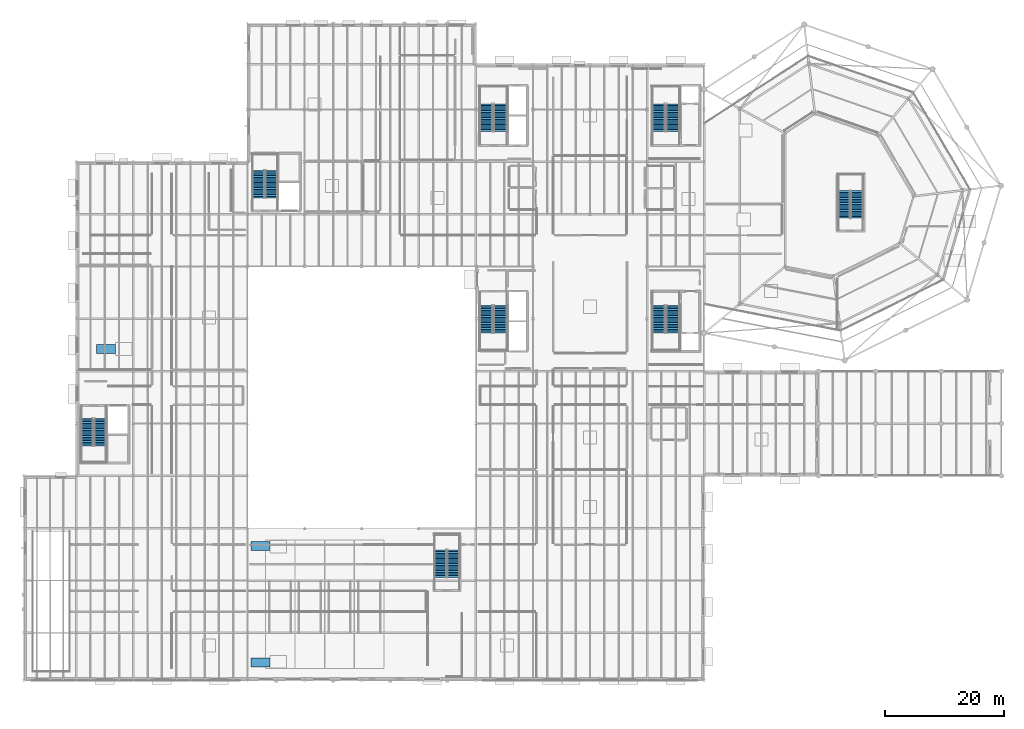
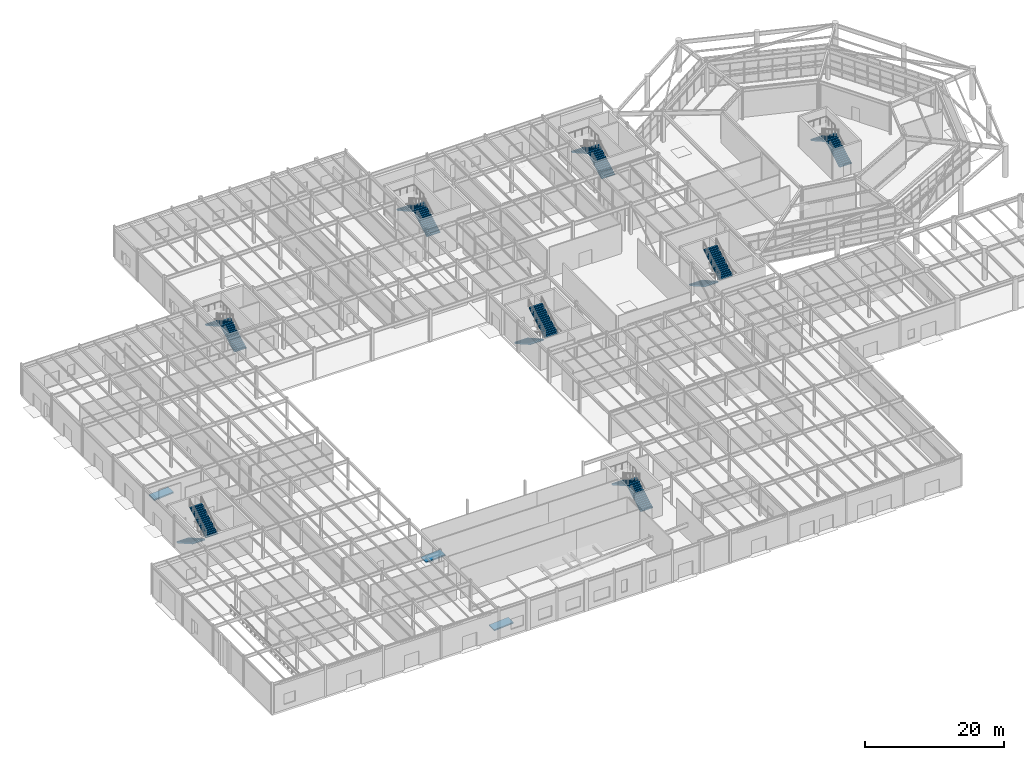
# One storey, part 54 of 70: 16 stair flights, 3 ramp flights, 11 elements without a shape of their own.
"""IFC4 building model written with IfcOpenShell, lengths in metres."""

from ifc_helpers import new_model, si_unit, direction, frame, origin, place, context, subcontext, project, spatial, polyline, outline, extrude, material, layer, layer_set, type_object, element, aggregate, save


model = new_model("IFC4")

# Units and contexts
model_context = context("Model", 3, precision=1e-05, world=origin(), true_north=direction((0.0, 1.0)))
body_context = subcontext(model_context, "Body", "Model", "MODEL_VIEW")
ifc_project = project(units=[si_unit("LENGTHUNIT", "METRE"), si_unit("AREAUNIT", "SQUARE_METRE"), si_unit("VOLUMEUNIT", "CUBIC_METRE"), si_unit("PLANEANGLEUNIT", "RADIAN"), si_unit("MASSUNIT", "GRAM", prefix="KILO")], contexts=[model_context])

# Site, building, storey
site_placement = place(None, origin())
site = spatial("IfcSite", under=ifc_project, at=site_placement, CompositionType="ELEMENT")
building_placement = place(site_placement, origin())
building = spatial("IfcBuilding", under=site, at=building_placement, Name="Sarnbrook Museum", CompositionType="ELEMENT")
storey_placement = place(building_placement, origin())
storey = spatial("IfcBuildingStorey", under=building, at=storey_placement, Name="L00", CompositionType="ELEMENT", Elevation=0.0)

# Stair, stair flights
ifc_material = material(Name="Concrete N40 (AS 3600, f'c = 40 MPa)", Category="concrete")
stair_type_1 = type_object("IfcStairType", Name="Stair_ST02", PredefinedType="HALF_TURN_STAIR", material=ifc_material)
stair_1_placement = place(storey_placement, origin())
stair_1 = element("IfcStair", 1, at=stair_1_placement, inside=storey, type_object=stair_type_1, Name="L00 Exit Stair ST1", PredefinedType="HALF_TURN_STAIR")
stair_flight_type_1 = type_object("IfcStairFlightType", Name="StairFlight_SF02", PredefinedType="STRAIGHT", material=ifc_material)
stair_flight_1_placement = place(storey_placement, frame((111.550048828125, 67.8798828125, 0.0), z_axis=(0.0, 0.0, 1.0), x_axis=(0.0, -1.0, 0.0)))
stair_flight_1 = element("IfcStairFlight", 2, at=stair_flight_1_placement, type_object=stair_flight_type_1, Name="ST1 flight 1", NumberOfRisers=17, NumberOfTreads=16, PredefinedType="STRAIGHT", RiserHeight=0.164705882, TreadLength=0.29, context=body_context, shape_type="SweptSolid", body=[
    extrude(outline(polyline([(0.0, 0.0), (0.0, 0.164794921875), (0.2900390625, 0.164794921875), (0.2900390625, 0.329345703125), (0.580078125, 0.329345703125), (0.580078125, 0.494140625), (0.8701171875, 0.494140625), (0.8701171875, 0.658935546875), (1.159912109375, 0.658935546875), (1.159912109375, 0.823486328125), (1.449951171875, 0.823486328125), (1.449951171875, 0.98828125), (1.739990234375, 0.98828125), (1.739990234375, 1.15283203125), (2.030029296875, 1.15283203125), (2.030029296875, 1.317626953125), (2.320068359375, 1.317626953125), (2.320068359375, 1.482421875), (2.610107421875, 1.482421875), (2.610107421875, 1.64697265625), (2.89990234375, 1.64697265625), (2.89990234375, 1.811767578125), (3.18994140625, 1.811767578125), (3.18994140625, 1.9765625), (3.47998046875, 1.9765625), (3.47998046875, 2.14111328125), (3.77001953125, 2.14111328125), (3.77001953125, 2.305908203125), (4.06005859375, 2.305908203125), (4.06005859375, 2.470703125), (4.35009765625, 2.470703125), (4.35009765625, 2.63525390625), (4.639892578125, 2.63525390625), (4.639892578125, 2.800048828125), (4.639892578125, 2.462890625), (0.303466796875, 0.0), (0.0, 0.0)])), frame((0.0, 1.10986328125, 0.0), z_axis=(0.0, -1.0, 0.0), x_axis=(1.0, 0.0, 0.0)), (0.0, 0.0, 1.0), 2.219970703125),
])
stair_flight_2_placement = place(storey_placement, frame((113.949951171875, 63.239990234375, 2.800048828125), z_axis=(0.0, 0.0, 1.0), x_axis=(0.0, 1.0, 0.0)))
stair_flight_2 = element("IfcStairFlight", 3, at=stair_flight_2_placement, type_object=stair_flight_type_1, Name="ST1 flight 2", NumberOfRisers=17, NumberOfTreads=16, PredefinedType="STRAIGHT", RiserHeight=0.164705882, TreadLength=0.29, context=body_context, shape_type="SweptSolid", body=[
    extrude(outline(polyline([(0.0, 0.0), (0.0, 0.164794921875), (0.2900390625, 0.164794921875), (0.2900390625, 0.329345703125), (0.580078125, 0.329345703125), (0.580078125, 0.494140625), (0.8701171875, 0.494140625), (0.8701171875, 0.658935546875), (1.159912109375, 0.658935546875), (1.159912109375, 0.823486328125), (1.449951171875, 0.823486328125), (1.449951171875, 0.98828125), (1.739990234375, 0.98828125), (1.739990234375, 1.15283203125), (2.030029296875, 1.15283203125), (2.030029296875, 1.317626953125), (2.320068359375, 1.317626953125), (2.320068359375, 1.482421875), (2.610107421875, 1.482421875), (2.610107421875, 1.64697265625), (2.89990234375, 1.64697265625), (2.89990234375, 1.811767578125), (3.18994140625, 1.811767578125), (3.18994140625, 1.9765625), (3.47998046875, 1.9765625), (3.47998046875, 2.14111328125), (3.77001953125, 2.14111328125), (3.77001953125, 2.305908203125), (4.06005859375, 2.305908203125), (4.06005859375, 2.470703125), (4.35009765625, 2.470703125), (4.35009765625, 2.63525390625), (4.639892578125, 2.63525390625), (4.639892578125, 2.800048828125), (4.639892578125, 2.462890625), (0.303466796875, 0.0), (0.0, 0.0)])), frame((0.0, 1.10986328125, 0.0), z_axis=(0.0, -1.0, 0.0), x_axis=(1.0, 0.0, 0.0)), (0.0, 0.0, 1.0), 2.219970703125),
])
aggregate(stair_1, [stair_flight_1, stair_flight_2])

stair_2_placement = place(storey_placement, origin())
stair_2 = element("IfcStair", 4, at=stair_2_placement, inside=storey, type_object=stair_type_1, Name="L00 Exit Stair ST2", PredefinedType="HALF_TURN_STAIR")
stair_flight_3_placement = place(storey_placement, frame((113.949951171875, 97.1201171875, 0.0), z_axis=(0.0, 0.0, 1.0), x_axis=(0.0, 1.0, 0.0)))
stair_flight_3 = element("IfcStairFlight", 5, at=stair_flight_3_placement, type_object=stair_flight_type_1, Name="ST2 flight 1", NumberOfRisers=17, NumberOfTreads=16, PredefinedType="STRAIGHT", RiserHeight=0.164705882, TreadLength=0.29, context=body_context, shape_type="SweptSolid", body=[
    extrude(outline(polyline([(0.0, 0.0), (0.0, 0.164794921875), (0.2900390625, 0.164794921875), (0.2900390625, 0.329345703125), (0.580078125, 0.329345703125), (0.580078125, 0.494140625), (0.8701171875, 0.494140625), (0.8701171875, 0.658935546875), (1.159912109375, 0.658935546875), (1.159912109375, 0.823486328125), (1.449951171875, 0.823486328125), (1.449951171875, 0.98828125), (1.739990234375, 0.98828125), (1.739990234375, 1.15283203125), (2.030029296875, 1.15283203125), (2.030029296875, 1.317626953125), (2.320068359375, 1.317626953125), (2.320068359375, 1.482421875), (2.610107421875, 1.482421875), (2.610107421875, 1.64697265625), (2.89990234375, 1.64697265625), (2.89990234375, 1.811767578125), (3.18994140625, 1.811767578125), (3.18994140625, 1.9765625), (3.47998046875, 1.9765625), (3.47998046875, 2.14111328125), (3.77001953125, 2.14111328125), (3.77001953125, 2.305908203125), (4.06005859375, 2.305908203125), (4.06005859375, 2.470703125), (4.35009765625, 2.470703125), (4.35009765625, 2.63525390625), (4.639892578125, 2.63525390625), (4.639892578125, 2.800048828125), (4.639892578125, 2.462890625), (0.303466796875, 0.0), (0.0, 0.0)])), frame((0.0, 1.10986328125, 0.0), z_axis=(0.0, -1.0, 0.0), x_axis=(1.0, 0.0, 0.0)), (0.0, 0.0, 1.0), 2.219970703125),
])
stair_flight_4_placement = place(storey_placement, frame((111.550048828125, 101.760009765625, 2.800048828125), z_axis=(0.0, 0.0, 1.0), x_axis=(0.0, -1.0, 0.0)))
stair_flight_4 = element("IfcStairFlight", 6, at=stair_flight_4_placement, type_object=stair_flight_type_1, Name="ST2 flight 2", NumberOfRisers=17, NumberOfTreads=16, PredefinedType="STRAIGHT", RiserHeight=0.164705882, TreadLength=0.29, context=body_context, shape_type="SweptSolid", body=[
    extrude(outline(polyline([(0.0, 0.0), (0.0, 0.164794921875), (0.2900390625, 0.164794921875), (0.2900390625, 0.329345703125), (0.580078125, 0.329345703125), (0.580078125, 0.494140625), (0.8701171875, 0.494140625), (0.8701171875, 0.658935546875), (1.159912109375, 0.658935546875), (1.159912109375, 0.823486328125), (1.449951171875, 0.823486328125), (1.449951171875, 0.98828125), (1.739990234375, 0.98828125), (1.739990234375, 1.15283203125), (2.030029296875, 1.15283203125), (2.030029296875, 1.317626953125), (2.320068359375, 1.317626953125), (2.320068359375, 1.482421875), (2.610107421875, 1.482421875), (2.610107421875, 1.64697265625), (2.89990234375, 1.64697265625), (2.89990234375, 1.811767578125), (3.18994140625, 1.811767578125), (3.18994140625, 1.9765625), (3.47998046875, 1.9765625), (3.47998046875, 2.14111328125), (3.77001953125, 2.14111328125), (3.77001953125, 2.305908203125), (4.06005859375, 2.305908203125), (4.06005859375, 2.470703125), (4.35009765625, 2.470703125), (4.35009765625, 2.63525390625), (4.639892578125, 2.63525390625), (4.639892578125, 2.800048828125), (4.639892578125, 2.462890625), (0.303466796875, 0.0), (0.0, 0.0)])), frame((0.0, 1.10986328125, 0.0), z_axis=(0.0, -1.0, 0.0), x_axis=(1.0, 0.0, 0.0)), (0.0, 0.0, 1.0), 2.219970703125),
])
aggregate(stair_2, [stair_flight_3, stair_flight_4])

stair_3_placement = place(storey_placement, origin())
stair_3 = element("IfcStair", 7, at=stair_3_placement, inside=storey, type_object=stair_type_1, Name="L00 Exit Stair ST3", PredefinedType="HALF_TURN_STAIR")
stair_flight_5_placement = place(storey_placement, frame((82.550048828125, 67.8798828125, 0.0), z_axis=(0.0, 0.0, 1.0), x_axis=(0.0, -1.0, 0.0)))
stair_flight_5 = element("IfcStairFlight", 8, at=stair_flight_5_placement, type_object=stair_flight_type_1, Name="ST3 flight 1", NumberOfRisers=17, NumberOfTreads=16, PredefinedType="STRAIGHT", RiserHeight=0.164705882, TreadLength=0.29, context=body_context, shape_type="SweptSolid", body=[
    extrude(outline(polyline([(0.0, 0.0), (0.0, 0.164794921875), (0.2900390625, 0.164794921875), (0.2900390625, 0.329345703125), (0.580078125, 0.329345703125), (0.580078125, 0.494140625), (0.8701171875, 0.494140625), (0.8701171875, 0.658935546875), (1.159912109375, 0.658935546875), (1.159912109375, 0.823486328125), (1.449951171875, 0.823486328125), (1.449951171875, 0.98828125), (1.739990234375, 0.98828125), (1.739990234375, 1.15283203125), (2.030029296875, 1.15283203125), (2.030029296875, 1.317626953125), (2.320068359375, 1.317626953125), (2.320068359375, 1.482421875), (2.610107421875, 1.482421875), (2.610107421875, 1.64697265625), (2.89990234375, 1.64697265625), (2.89990234375, 1.811767578125), (3.18994140625, 1.811767578125), (3.18994140625, 1.9765625), (3.47998046875, 1.9765625), (3.47998046875, 2.14111328125), (3.77001953125, 2.14111328125), (3.77001953125, 2.305908203125), (4.06005859375, 2.305908203125), (4.06005859375, 2.470703125), (4.35009765625, 2.470703125), (4.35009765625, 2.63525390625), (4.639892578125, 2.63525390625), (4.639892578125, 2.800048828125), (4.639892578125, 2.462890625), (0.303466796875, 0.0), (0.0, 0.0)])), frame((0.0, 1.10986328125, 0.0), z_axis=(0.0, -1.0, 0.0), x_axis=(1.0, 0.0, 0.0)), (0.0, 0.0, 1.0), 2.219970703125),
])
stair_flight_6_placement = place(storey_placement, frame((84.949951171875, 63.239990234375, 2.800048828125), z_axis=(0.0, 0.0, 1.0), x_axis=(0.0, 1.0, 0.0)))
stair_flight_6 = element("IfcStairFlight", 9, at=stair_flight_6_placement, type_object=stair_flight_type_1, Name="ST3 flight 2", NumberOfRisers=17, NumberOfTreads=16, PredefinedType="STRAIGHT", RiserHeight=0.164705882, TreadLength=0.29, context=body_context, shape_type="SweptSolid", body=[
    extrude(outline(polyline([(0.0, 0.0), (0.0, 0.164794921875), (0.2900390625, 0.164794921875), (0.2900390625, 0.329345703125), (0.580078125, 0.329345703125), (0.580078125, 0.494140625), (0.8701171875, 0.494140625), (0.8701171875, 0.658935546875), (1.159912109375, 0.658935546875), (1.159912109375, 0.823486328125), (1.449951171875, 0.823486328125), (1.449951171875, 0.98828125), (1.739990234375, 0.98828125), (1.739990234375, 1.15283203125), (2.030029296875, 1.15283203125), (2.030029296875, 1.317626953125), (2.320068359375, 1.317626953125), (2.320068359375, 1.482421875), (2.610107421875, 1.482421875), (2.610107421875, 1.64697265625), (2.89990234375, 1.64697265625), (2.89990234375, 1.811767578125), (3.18994140625, 1.811767578125), (3.18994140625, 1.9765625), (3.47998046875, 1.9765625), (3.47998046875, 2.14111328125), (3.77001953125, 2.14111328125), (3.77001953125, 2.305908203125), (4.06005859375, 2.305908203125), (4.06005859375, 2.470703125), (4.35009765625, 2.470703125), (4.35009765625, 2.63525390625), (4.639892578125, 2.63525390625), (4.639892578125, 2.800048828125), (4.639892578125, 2.462890625), (0.303466796875, 0.0), (0.0, 0.0)])), frame((0.0, 1.10986328125, 0.0), z_axis=(0.0, -1.0, 0.0), x_axis=(1.0, 0.0, 0.0)), (0.0, 0.0, 1.0), 2.219970703125),
])
aggregate(stair_3, [stair_flight_5, stair_flight_6])

stair_4_placement = place(storey_placement, origin())
stair_4 = element("IfcStair", 10, at=stair_4_placement, inside=storey, type_object=stair_type_1, Name="L00 Exit Stair ST4", PredefinedType="HALF_TURN_STAIR")
stair_flight_7_placement = place(storey_placement, frame((84.949951171875, 97.1201171875, 0.0), z_axis=(0.0, 0.0, 1.0), x_axis=(0.0, 1.0, 0.0)))
stair_flight_7 = element("IfcStairFlight", 11, at=stair_flight_7_placement, type_object=stair_flight_type_1, Name="ST4 flight 1", NumberOfRisers=17, NumberOfTreads=16, PredefinedType="STRAIGHT", RiserHeight=0.164705882, TreadLength=0.29, context=body_context, shape_type="SweptSolid", body=[
    extrude(outline(polyline([(0.0, 0.0), (0.0, 0.164794921875), (0.2900390625, 0.164794921875), (0.2900390625, 0.329345703125), (0.580078125, 0.329345703125), (0.580078125, 0.494140625), (0.8701171875, 0.494140625), (0.8701171875, 0.658935546875), (1.159912109375, 0.658935546875), (1.159912109375, 0.823486328125), (1.449951171875, 0.823486328125), (1.449951171875, 0.98828125), (1.739990234375, 0.98828125), (1.739990234375, 1.15283203125), (2.030029296875, 1.15283203125), (2.030029296875, 1.317626953125), (2.320068359375, 1.317626953125), (2.320068359375, 1.482421875), (2.610107421875, 1.482421875), (2.610107421875, 1.64697265625), (2.89990234375, 1.64697265625), (2.89990234375, 1.811767578125), (3.18994140625, 1.811767578125), (3.18994140625, 1.9765625), (3.47998046875, 1.9765625), (3.47998046875, 2.14111328125), (3.77001953125, 2.14111328125), (3.77001953125, 2.305908203125), (4.06005859375, 2.305908203125), (4.06005859375, 2.470703125), (4.35009765625, 2.470703125), (4.35009765625, 2.63525390625), (4.639892578125, 2.63525390625), (4.639892578125, 2.800048828125), (4.639892578125, 2.462890625), (0.303466796875, 0.0), (0.0, 0.0)])), frame((0.0, 1.10986328125, 0.0), z_axis=(0.0, -1.0, 0.0), x_axis=(1.0, 0.0, 0.0)), (0.0, 0.0, 1.0), 2.219970703125),
])
stair_flight_8_placement = place(storey_placement, frame((82.550048828125, 101.760009765625, 2.800048828125), z_axis=(0.0, 0.0, 1.0), x_axis=(0.0, -1.0, 0.0)))
stair_flight_8 = element("IfcStairFlight", 12, at=stair_flight_8_placement, type_object=stair_flight_type_1, Name="ST4 flight 2", NumberOfRisers=17, NumberOfTreads=16, PredefinedType="STRAIGHT", RiserHeight=0.164705882, TreadLength=0.29, context=body_context, shape_type="SweptSolid", body=[
    extrude(outline(polyline([(0.0, 0.0), (0.0, 0.164794921875), (0.2900390625, 0.164794921875), (0.2900390625, 0.329345703125), (0.580078125, 0.329345703125), (0.580078125, 0.494140625), (0.8701171875, 0.494140625), (0.8701171875, 0.658935546875), (1.159912109375, 0.658935546875), (1.159912109375, 0.823486328125), (1.449951171875, 0.823486328125), (1.449951171875, 0.98828125), (1.739990234375, 0.98828125), (1.739990234375, 1.15283203125), (2.030029296875, 1.15283203125), (2.030029296875, 1.317626953125), (2.320068359375, 1.317626953125), (2.320068359375, 1.482421875), (2.610107421875, 1.482421875), (2.610107421875, 1.64697265625), (2.89990234375, 1.64697265625), (2.89990234375, 1.811767578125), (3.18994140625, 1.811767578125), (3.18994140625, 1.9765625), (3.47998046875, 1.9765625), (3.47998046875, 2.14111328125), (3.77001953125, 2.14111328125), (3.77001953125, 2.305908203125), (4.06005859375, 2.305908203125), (4.06005859375, 2.470703125), (4.35009765625, 2.470703125), (4.35009765625, 2.63525390625), (4.639892578125, 2.63525390625), (4.639892578125, 2.800048828125), (4.639892578125, 2.462890625), (0.303466796875, 0.0), (0.0, 0.0)])), frame((0.0, 1.10986328125, 0.0), z_axis=(0.0, -1.0, 0.0), x_axis=(1.0, 0.0, 0.0)), (0.0, 0.0, 1.0), 2.219970703125),
])
aggregate(stair_4, [stair_flight_7, stair_flight_8])

stair_type_2 = type_object("IfcStairType", Name="Stair_ST06", PredefinedType="HALF_TURN_STAIR", material=ifc_material)
stair_5_placement = place(storey_placement, origin())
stair_5 = element("IfcStair", 13, at=stair_5_placement, inside=storey, type_object=stair_type_2, Name="L00 Exit Stair ST5", PredefinedType="HALF_TURN_STAIR")
stair_flight_type_2 = type_object("IfcStairFlightType", Name="StairFlight_SF06", PredefinedType="STRAIGHT", material=ifc_material)
stair_flight_9_placement = place(storey_placement, frame((15.449951171875, 48.8798828125, 0.0), z_axis=(0.0, 0.0, 1.0), x_axis=(0.0, -1.0, 0.0)))
stair_flight_9 = element("IfcStairFlight", 14, at=stair_flight_9_placement, type_object=stair_flight_type_2, Name="ST5 flight 1", NumberOfRisers=17, NumberOfTreads=16, PredefinedType="STRAIGHT", RiserHeight=0.164705882, TreadLength=0.29, context=body_context, shape_type="SweptSolid", body=[
    extrude(outline(polyline([(0.0, 0.0), (0.0, 0.164794921875), (0.2900390625, 0.164794921875), (0.2900390625, 0.329345703125), (0.580078125, 0.329345703125), (0.580078125, 0.494140625), (0.8701171875, 0.494140625), (0.8701171875, 0.658935546875), (1.159912109375, 0.658935546875), (1.159912109375, 0.823486328125), (1.449951171875, 0.823486328125), (1.449951171875, 0.98828125), (1.739990234375, 0.98828125), (1.739990234375, 1.15283203125), (2.030029296875, 1.15283203125), (2.030029296875, 1.317626953125), (2.320068359375, 1.317626953125), (2.320068359375, 1.482421875), (2.610107421875, 1.482421875), (2.610107421875, 1.64697265625), (2.89990234375, 1.64697265625), (2.89990234375, 1.811767578125), (3.18994140625, 1.811767578125), (3.18994140625, 1.9765625), (3.47998046875, 1.9765625), (3.47998046875, 2.14111328125), (3.77001953125, 2.14111328125), (3.77001953125, 2.305908203125), (4.06005859375, 2.305908203125), (4.06005859375, 2.470703125), (4.35009765625, 2.470703125), (4.35009765625, 2.63525390625), (4.639892578125, 2.63525390625), (4.639892578125, 2.800048828125), (4.639892578125, 2.462890625), (0.303466796875, 0.0), (0.0, 0.0)])), frame((0.0, 1.010009765625, 0.0), z_axis=(0.0, -1.0, 0.0), x_axis=(1.0, 0.0, 0.0)), (0.0, 0.0, 1.0), 2.02001953125),
])
stair_flight_10_placement = place(storey_placement, frame((17.6298828125, 44.239990234375, 2.800048828125), z_axis=(0.0, 0.0, 1.0), x_axis=(0.0, 1.0, 0.0)))
stair_flight_10 = element("IfcStairFlight", 15, at=stair_flight_10_placement, type_object=stair_flight_type_2, Name="ST5 flight 2", NumberOfRisers=17, NumberOfTreads=16, PredefinedType="STRAIGHT", RiserHeight=0.164705882, TreadLength=0.29, context=body_context, shape_type="SweptSolid", body=[
    extrude(outline(polyline([(0.0, 0.0), (0.0, 0.164794921875), (0.2900390625, 0.164794921875), (0.2900390625, 0.329345703125), (0.580078125, 0.329345703125), (0.580078125, 0.494140625), (0.8701171875, 0.494140625), (0.8701171875, 0.658935546875), (1.159912109375, 0.658935546875), (1.159912109375, 0.823486328125), (1.449951171875, 0.823486328125), (1.449951171875, 0.98828125), (1.739990234375, 0.98828125), (1.739990234375, 1.15283203125), (2.030029296875, 1.15283203125), (2.030029296875, 1.317626953125), (2.320068359375, 1.317626953125), (2.320068359375, 1.482421875), (2.610107421875, 1.482421875), (2.610107421875, 1.64697265625), (2.89990234375, 1.64697265625), (2.89990234375, 1.811767578125), (3.18994140625, 1.811767578125), (3.18994140625, 1.9765625), (3.47998046875, 1.9765625), (3.47998046875, 2.14111328125), (3.77001953125, 2.14111328125), (3.77001953125, 2.305908203125), (4.06005859375, 2.305908203125), (4.06005859375, 2.470703125), (4.35009765625, 2.470703125), (4.35009765625, 2.63525390625), (4.639892578125, 2.63525390625), (4.639892578125, 2.800048828125), (4.639892578125, 2.462890625), (0.303466796875, 0.0), (0.0, 0.0)])), frame((0.0, 1.010009765625, 0.0), z_axis=(0.0, -1.0, 0.0), x_axis=(1.0, 0.0, 0.0)), (0.0, 0.0, 1.0), 2.02001953125),
])
aggregate(stair_5, [stair_flight_9, stair_flight_10])

stair_6_placement = place(storey_placement, origin())
stair_6 = element("IfcStair", 16, at=stair_6_placement, inside=storey, type_object=stair_type_2, Name="L00 Exit Stair ST6", PredefinedType="HALF_TURN_STAIR")
stair_flight_11_placement = place(storey_placement, frame((46.429931640625, 85.919921875, 0.0), z_axis=(0.0, 0.0, 1.0), x_axis=(0.0, 1.0, 0.0)))
stair_flight_11 = element("IfcStairFlight", 17, at=stair_flight_11_placement, type_object=stair_flight_type_2, Name="ST6 flight 1", NumberOfRisers=17, NumberOfTreads=16, PredefinedType="STRAIGHT", RiserHeight=0.164705882, TreadLength=0.29, context=body_context, shape_type="SweptSolid", body=[
    extrude(outline(polyline([(0.0, 0.0), (0.0, 0.164794921875), (0.2900390625, 0.164794921875), (0.2900390625, 0.329345703125), (0.580078125, 0.329345703125), (0.580078125, 0.494140625), (0.8701171875, 0.494140625), (0.8701171875, 0.658935546875), (1.159912109375, 0.658935546875), (1.159912109375, 0.823486328125), (1.449951171875, 0.823486328125), (1.449951171875, 0.98828125), (1.739990234375, 0.98828125), (1.739990234375, 1.15283203125), (2.030029296875, 1.15283203125), (2.030029296875, 1.317626953125), (2.320068359375, 1.317626953125), (2.320068359375, 1.482421875), (2.610107421875, 1.482421875), (2.610107421875, 1.64697265625), (2.89990234375, 1.64697265625), (2.89990234375, 1.811767578125), (3.18994140625, 1.811767578125), (3.18994140625, 1.9765625), (3.47998046875, 1.9765625), (3.47998046875, 2.14111328125), (3.77001953125, 2.14111328125), (3.77001953125, 2.305908203125), (4.06005859375, 2.305908203125), (4.06005859375, 2.470703125), (4.35009765625, 2.470703125), (4.35009765625, 2.63525390625), (4.639892578125, 2.63525390625), (4.639892578125, 2.800048828125), (4.639892578125, 2.462890625), (0.303466796875, 0.0), (0.0, 0.0)])), frame((0.0, 1.010009765625, 0.0), z_axis=(0.0, -1.0, 0.0), x_axis=(1.0, 0.0, 0.0)), (0.0, 0.0, 1.0), 2.02001953125),
])
stair_flight_12_placement = place(storey_placement, frame((44.25, 90.56005859375, 2.800048828125), z_axis=(0.0, 0.0, 1.0), x_axis=(0.0, -1.0, 0.0)))
stair_flight_12 = element("IfcStairFlight", 18, at=stair_flight_12_placement, type_object=stair_flight_type_2, Name="ST6 flight 2", NumberOfRisers=17, NumberOfTreads=16, PredefinedType="STRAIGHT", RiserHeight=0.164705882, TreadLength=0.29, context=body_context, shape_type="SweptSolid", body=[
    extrude(outline(polyline([(0.0, 0.0), (0.0, 0.164794921875), (0.2900390625, 0.164794921875), (0.2900390625, 0.329345703125), (0.580078125, 0.329345703125), (0.580078125, 0.494140625), (0.8701171875, 0.494140625), (0.8701171875, 0.658935546875), (1.159912109375, 0.658935546875), (1.159912109375, 0.823486328125), (1.449951171875, 0.823486328125), (1.449951171875, 0.98828125), (1.739990234375, 0.98828125), (1.739990234375, 1.15283203125), (2.030029296875, 1.15283203125), (2.030029296875, 1.317626953125), (2.320068359375, 1.317626953125), (2.320068359375, 1.482421875), (2.610107421875, 1.482421875), (2.610107421875, 1.64697265625), (2.89990234375, 1.64697265625), (2.89990234375, 1.811767578125), (3.18994140625, 1.811767578125), (3.18994140625, 1.9765625), (3.47998046875, 1.9765625), (3.47998046875, 2.14111328125), (3.77001953125, 2.14111328125), (3.77001953125, 2.305908203125), (4.06005859375, 2.305908203125), (4.06005859375, 2.470703125), (4.35009765625, 2.470703125), (4.35009765625, 2.63525390625), (4.639892578125, 2.63525390625), (4.639892578125, 2.800048828125), (4.639892578125, 2.462890625), (0.303466796875, 0.0), (0.0, 0.0)])), frame((0.0, 1.010009765625, 0.0), z_axis=(0.0, -1.0, 0.0), x_axis=(1.0, 0.0, 0.0)), (0.0, 0.0, 1.0), 2.02001953125),
])
aggregate(stair_6, [stair_flight_11, stair_flight_12])

stair_7_placement = place(storey_placement, origin())
stair_7 = element("IfcStair", 19, at=stair_7_placement, inside=storey, type_object=stair_type_2, Name="L00 Exit Stair ST7", PredefinedType="HALF_TURN_STAIR")
stair_flight_13_placement = place(storey_placement, frame((144.889892578125, 82.52001953125, 0.0), z_axis=(0.0, 0.0, 1.0), x_axis=(0.0, 1.0, 0.0)))
stair_flight_13 = element("IfcStairFlight", 20, at=stair_flight_13_placement, type_object=stair_flight_type_2, Name="ST7 flight 1", NumberOfRisers=17, NumberOfTreads=16, PredefinedType="STRAIGHT", RiserHeight=0.164705882, TreadLength=0.29, context=body_context, shape_type="SweptSolid", body=[
    extrude(outline(polyline([(0.0, 0.0), (0.0, 0.164794921875), (0.2900390625, 0.164794921875), (0.2900390625, 0.329345703125), (0.580078125, 0.329345703125), (0.580078125, 0.494140625), (0.8701171875, 0.494140625), (0.8701171875, 0.658935546875), (1.159912109375, 0.658935546875), (1.159912109375, 0.823486328125), (1.449951171875, 0.823486328125), (1.449951171875, 0.98828125), (1.739990234375, 0.98828125), (1.739990234375, 1.15283203125), (2.030029296875, 1.15283203125), (2.030029296875, 1.317626953125), (2.320068359375, 1.317626953125), (2.320068359375, 1.482421875), (2.610107421875, 1.482421875), (2.610107421875, 1.64697265625), (2.89990234375, 1.64697265625), (2.89990234375, 1.811767578125), (3.18994140625, 1.811767578125), (3.18994140625, 1.9765625), (3.47998046875, 1.9765625), (3.47998046875, 2.14111328125), (3.77001953125, 2.14111328125), (3.77001953125, 2.305908203125), (4.06005859375, 2.305908203125), (4.06005859375, 2.470703125), (4.35009765625, 2.470703125), (4.35009765625, 2.63525390625), (4.639892578125, 2.63525390625), (4.639892578125, 2.800048828125), (4.639892578125, 2.462890625), (0.303466796875, 0.0), (0.0, 0.0)])), frame((0.0, 1.010009765625, 0.0), z_axis=(0.0, -1.0, 0.0), x_axis=(1.0, 0.0, 0.0)), (0.0, 0.0, 1.0), 2.02001953125),
])
stair_flight_14_placement = place(storey_placement, frame((142.7099609375, 87.159912109375, 2.800048828125), z_axis=(0.0, 0.0, 1.0), x_axis=(0.0, -1.0, 0.0)))
stair_flight_14 = element("IfcStairFlight", 21, at=stair_flight_14_placement, type_object=stair_flight_type_2, Name="ST7 flight 2", NumberOfRisers=17, NumberOfTreads=16, PredefinedType="STRAIGHT", RiserHeight=0.164705882, TreadLength=0.29, context=body_context, shape_type="SweptSolid", body=[
    extrude(outline(polyline([(0.0, 0.0), (0.0, 0.164794921875), (0.2900390625, 0.164794921875), (0.2900390625, 0.329345703125), (0.580078125, 0.329345703125), (0.580078125, 0.494140625), (0.8701171875, 0.494140625), (0.8701171875, 0.658935546875), (1.159912109375, 0.658935546875), (1.159912109375, 0.823486328125), (1.449951171875, 0.823486328125), (1.449951171875, 0.98828125), (1.739990234375, 0.98828125), (1.739990234375, 1.15283203125), (2.030029296875, 1.15283203125), (2.030029296875, 1.317626953125), (2.320068359375, 1.317626953125), (2.320068359375, 1.482421875), (2.610107421875, 1.482421875), (2.610107421875, 1.64697265625), (2.89990234375, 1.64697265625), (2.89990234375, 1.811767578125), (3.18994140625, 1.811767578125), (3.18994140625, 1.9765625), (3.47998046875, 1.9765625), (3.47998046875, 2.14111328125), (3.77001953125, 2.14111328125), (3.77001953125, 2.305908203125), (4.06005859375, 2.305908203125), (4.06005859375, 2.470703125), (4.35009765625, 2.470703125), (4.35009765625, 2.63525390625), (4.639892578125, 2.63525390625), (4.639892578125, 2.800048828125), (4.639892578125, 2.462890625), (0.303466796875, 0.0), (0.0, 0.0)])), frame((0.0, 1.010009765625, 0.0), z_axis=(0.0, -1.0, 0.0), x_axis=(1.0, 0.0, 0.0)), (0.0, 0.0, 1.0), 2.02001953125),
])
aggregate(stair_7, [stair_flight_13, stair_flight_14])

stair_8_placement = place(storey_placement, origin())
stair_8 = element("IfcStair", 22, at=stair_8_placement, inside=storey, type_object=stair_type_2, Name="L00 Exit Stair ST8", PredefinedType="HALF_TURN_STAIR")
stair_flight_15_placement = place(storey_placement, frame((77.030029296875, 22.1201171875, 0.0), z_axis=(0.0, 0.0, 1.0), x_axis=(0.0, 1.0, 0.0)))
stair_flight_15 = element("IfcStairFlight", 23, at=stair_flight_15_placement, type_object=stair_flight_type_2, Name="ST8 flight 1", NumberOfRisers=17, NumberOfTreads=16, PredefinedType="STRAIGHT", RiserHeight=0.164705882, TreadLength=0.29, context=body_context, shape_type="SweptSolid", body=[
    extrude(outline(polyline([(0.0, 0.0), (0.0, 0.164794921875), (0.2900390625, 0.164794921875), (0.2900390625, 0.329345703125), (0.580078125, 0.329345703125), (0.580078125, 0.494140625), (0.8701171875, 0.494140625), (0.8701171875, 0.658935546875), (1.159912109375, 0.658935546875), (1.159912109375, 0.823486328125), (1.449951171875, 0.823486328125), (1.449951171875, 0.98828125), (1.739990234375, 0.98828125), (1.739990234375, 1.15283203125), (2.030029296875, 1.15283203125), (2.030029296875, 1.317626953125), (2.320068359375, 1.317626953125), (2.320068359375, 1.482421875), (2.610107421875, 1.482421875), (2.610107421875, 1.64697265625), (2.89990234375, 1.64697265625), (2.89990234375, 1.811767578125), (3.18994140625, 1.811767578125), (3.18994140625, 1.9765625), (3.47998046875, 1.9765625), (3.47998046875, 2.14111328125), (3.77001953125, 2.14111328125), (3.77001953125, 2.305908203125), (4.06005859375, 2.305908203125), (4.06005859375, 2.470703125), (4.35009765625, 2.470703125), (4.35009765625, 2.63525390625), (4.639892578125, 2.63525390625), (4.639892578125, 2.800048828125), (4.639892578125, 2.462890625), (0.303466796875, 0.0), (0.0, 0.0)])), frame((0.0, 1.010009765625, 0.0), z_axis=(0.0, -1.0, 0.0), x_axis=(1.0, 0.0, 0.0)), (0.0, 0.0, 1.0), 2.02001953125),
])
stair_flight_16_placement = place(storey_placement, frame((74.85009765625, 26.760009765625, 2.800048828125), z_axis=(0.0, 0.0, 1.0), x_axis=(0.0, -1.0, 0.0)))
stair_flight_16 = element("IfcStairFlight", 24, at=stair_flight_16_placement, type_object=stair_flight_type_2, Name="ST8 flight 2", NumberOfRisers=17, NumberOfTreads=16, PredefinedType="STRAIGHT", RiserHeight=0.164705882, TreadLength=0.29, context=body_context, shape_type="SweptSolid", body=[
    extrude(outline(polyline([(0.0, 0.0), (0.0, 0.164794921875), (0.2900390625, 0.164794921875), (0.2900390625, 0.329345703125), (0.580078125, 0.329345703125), (0.580078125, 0.494140625), (0.8701171875, 0.494140625), (0.8701171875, 0.658935546875), (1.159912109375, 0.658935546875), (1.159912109375, 0.823486328125), (1.449951171875, 0.823486328125), (1.449951171875, 0.98828125), (1.739990234375, 0.98828125), (1.739990234375, 1.15283203125), (2.030029296875, 1.15283203125), (2.030029296875, 1.317626953125), (2.320068359375, 1.317626953125), (2.320068359375, 1.482421875), (2.610107421875, 1.482421875), (2.610107421875, 1.64697265625), (2.89990234375, 1.64697265625), (2.89990234375, 1.811767578125), (3.18994140625, 1.811767578125), (3.18994140625, 1.9765625), (3.47998046875, 1.9765625), (3.47998046875, 2.14111328125), (3.77001953125, 2.14111328125), (3.77001953125, 2.305908203125), (4.06005859375, 2.305908203125), (4.06005859375, 2.470703125), (4.35009765625, 2.470703125), (4.35009765625, 2.63525390625), (4.639892578125, 2.63525390625), (4.639892578125, 2.800048828125), (4.639892578125, 2.462890625), (0.303466796875, 0.0), (0.0, 0.0)])), frame((0.0, 1.010009765625, 0.0), z_axis=(0.0, -1.0, 0.0), x_axis=(1.0, 0.0, 0.0)), (0.0, 0.0, 1.0), 2.02001953125),
])
aggregate(stair_8, [stair_flight_15, stair_flight_16])

# Ramp, ramp flight
ramp_type = type_object("IfcRampType", Name="Ramp_Access1500", PredefinedType="STRAIGHT_RUN_RAMP", material=ifc_material)
ramp_1_placement = place(storey_placement, origin())
ramp_1 = element("IfcRamp", 25, at=ramp_1_placement, inside=storey, type_object=ramp_type, material=ifc_material, Name="Auditorium South Stalls Accessible Ramp AR-1", PredefinedType="STRAIGHT_RUN_RAMP")
ifc_layer = layer(ifc_material, 0.219970703125)
ifc_layer_set = layer_set([ifc_layer], Name="Concrete N40 (AS 3600, f'c = 40 MPa)")
ramp_flight_type = type_object("IfcRampFlightType", Name="RampFlight_Access", PredefinedType="STRAIGHT", material=ifc_layer_set)
ramp_flight_1_placement = place(storey_placement, frame((43.0, 7.800048828125, 0.0), z_axis=(0.0, 0.0, 1.0), x_axis=(1.0, 0.0, 0.0)))
ramp_flight_1 = element("IfcRampFlight", 26, at=ramp_flight_1_placement, type_object=ramp_flight_type, material=ifc_material, Name="Auditorium South Stalls Accessible Ramp AR-1 flight 1", PredefinedType="STRAIGHT", context=body_context, shape_type="SweptSolid", body=[
    extrude(outline(polyline([(0.0, 0.0), (3.199951171875, 0.219970703125), (3.199951171875, 0.0), (0.0, -0.219970703125), (0.0, 0.0)])), frame((0.0, 0.75, 0.0), z_axis=(0.0, -1.0, 0.0), x_axis=(1.0, 0.0, 0.0)), (0.0, 0.0, 1.0), 1.5),
])
aggregate(ramp_1, [ramp_flight_1])

ramp_2_placement = place(storey_placement, origin())
ramp_2 = element("IfcRamp", 27, at=ramp_2_placement, inside=storey, type_object=ramp_type, material=ifc_material, Name="Auditorium North Stalls Accessible Ramp AR-2", PredefinedType="STRAIGHT_RUN_RAMP")
ramp_flight_2_placement = place(storey_placement, frame((43.0, 27.39990234375, 0.0), z_axis=(0.0, 0.0, 1.0), x_axis=(1.0, 0.0, 0.0)))
ramp_flight_2 = element("IfcRampFlight", 28, at=ramp_flight_2_placement, type_object=ramp_flight_type, material=ifc_material, Name="Auditorium North Stalls Accessible Ramp AR-2 flight 1", PredefinedType="STRAIGHT", context=body_context, shape_type="SweptSolid", body=[
    extrude(outline(polyline([(0.0, 0.0), (3.199951171875, 0.219970703125), (3.199951171875, 0.0), (0.0, -0.219970703125), (0.0, 0.0)])), frame((0.0, 0.75, 0.0), z_axis=(0.0, -1.0, 0.0), x_axis=(1.0, 0.0, 0.0)), (0.0, 0.0, 1.0), 1.5),
])
aggregate(ramp_2, [ramp_flight_2])

ramp_3_placement = place(storey_placement, origin())
ramp_3 = element("IfcRamp", 29, at=ramp_3_placement, inside=storey, type_object=ramp_type, material=ifc_material, Name="Sculpture Plinth Accessible Ramp AR-3", PredefinedType="STRAIGHT_RUN_RAMP")
ramp_flight_3_placement = place(storey_placement, frame((17.0, 60.5, 0.0), z_axis=(0.0, 0.0, 1.0), x_axis=(1.0, 0.0, 0.0)))
ramp_flight_3 = element("IfcRampFlight", 30, at=ramp_flight_3_placement, type_object=ramp_flight_type, material=ifc_material, Name="Sculpture Plinth Accessible Ramp AR-3 flight 1", PredefinedType="STRAIGHT", context=body_context, shape_type="SweptSolid", body=[
    extrude(outline(polyline([(0.0, 0.0), (3.199951171875, 0.219970703125), (3.199951171875, 0.0), (0.0, -0.219970703125), (0.0, 0.0)])), frame((0.0, 0.75, 0.0), z_axis=(0.0, -1.0, 0.0), x_axis=(1.0, 0.0, 0.0)), (0.0, 0.0, 1.0), 1.5),
])
aggregate(ramp_3, [ramp_flight_3])

save(model, "model.ifc")
